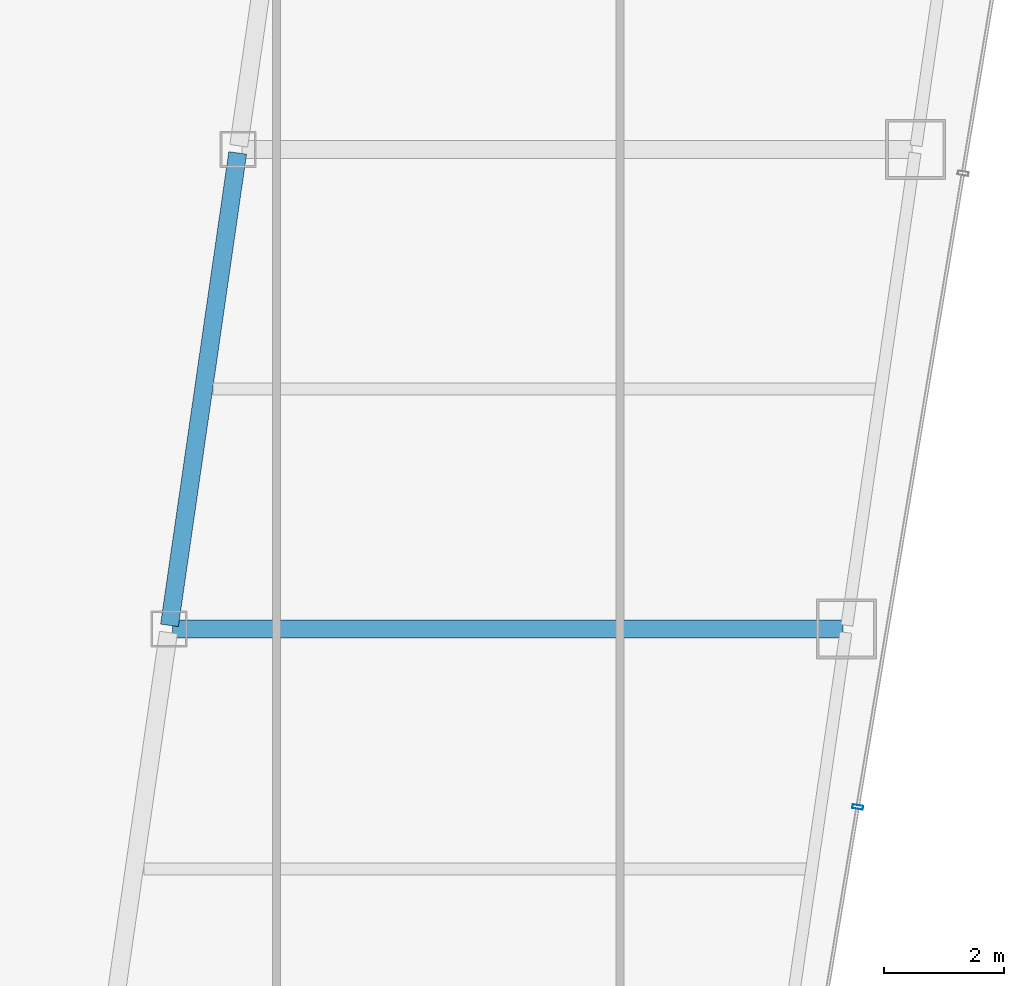
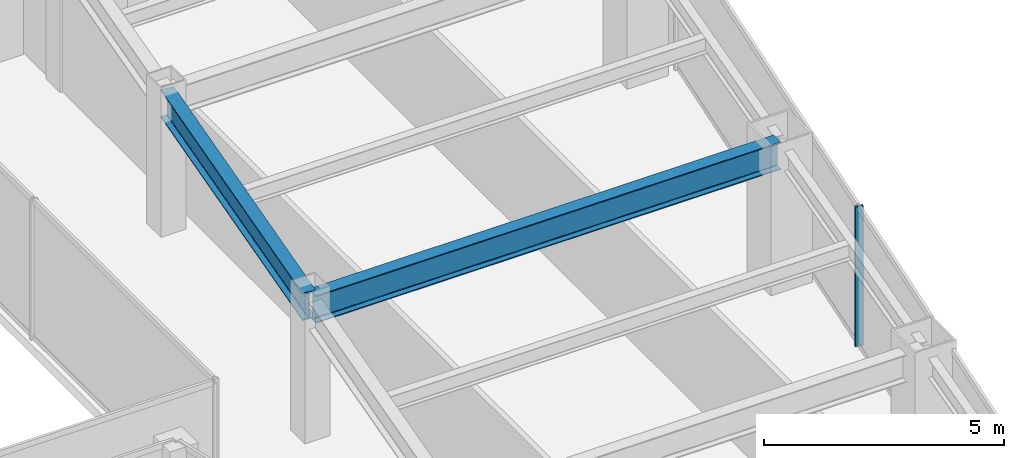
# One storey, part 17 of 38: 2 beams, 1 member, 1 element without a shape of its own.
"""IFC4 building model written with IfcOpenShell, lengths in metres."""

from ifc_helpers import new_model, si_unit, direction, frame, origin, origin_2d, place, context, subcontext, project, spatial, hollow_rectangle, i_section, extrude, material, material_profile, profile_set, type_object, element, aggregate, save


model = new_model("IFC4")

# Units and contexts
model_context = context("Model", 3, precision=1e-05, world=origin(), true_north=direction((0.0, 1.0)))
body_context = subcontext(model_context, "Body", "Model", "MODEL_VIEW")
ifc_project = project(units=[si_unit("LENGTHUNIT", "METRE"), si_unit("AREAUNIT", "SQUARE_METRE"), si_unit("VOLUMEUNIT", "CUBIC_METRE"), si_unit("PLANEANGLEUNIT", "RADIAN"), si_unit("MASSUNIT", "GRAM", prefix="KILO")], contexts=[model_context])

# Site, building, storey
site_placement = place(None, origin())
site = spatial("IfcSite", under=ifc_project, at=site_placement, CompositionType="ELEMENT")
building_placement = place(site_placement, origin())
building = spatial("IfcBuilding", under=site, at=building_placement, Name="Saevonmaru Cultural Tower", CompositionType="ELEMENT")
storey_placement = place(building_placement, frame((0.0, 0.0, 133.39990234375)))
storey = spatial("IfcBuildingStorey", under=building, at=storey_placement, Name="L28", CompositionType="ELEMENT", Elevation=133.39990234375)

# Beams
ifc_material_1 = material(Name="Steel SM355", Category="steel")
ifc_material_profile_1 = material_profile(ifc_material_1, i_section(OverallWidth=0.300048828125, OverallDepth=0.699951171875, WebThickness=0.012939453125, FlangeThickness=0.02392578125, FilletRadius=0.02587890625, at=origin_2d()), Name="H-700x300x13x24")
ifc_profile_set_1 = profile_set([ifc_material_profile_1], Name="Steel SM355")
beam_type = type_object("IfcBeamType", Name="BM-G-H700", PredefinedType="BEAM", material=ifc_profile_set_1)
beam_1_placement = place(storey_placement, frame((39.236572265625, 24.059326171875, 3.2001953125), z_axis=(0.142902032203, 0.989736838353, 0.0), x_axis=(-0.989736838353, 0.142902032203, 0.0)))
element("IfcBeam", 1, at=beam_1_placement, inside=storey, type_object=beam_type, Name="L28 East Atrium Girder 3", PredefinedType="BEAM", context=body_context, shape_type="SweptSolid", body=[
    extrude(i_section(OverallWidth=0.300048828125, OverallDepth=0.699951171875, WebThickness=0.012939453125, FlangeThickness=0.02392578125, FilletRadius=0.02587890625, at=origin_2d()), origin(), (0.0, 0.0, 1.0), 7.963134765625),
])
beam_2_placement = place(storey_placement, frame((39.2880859375, 24.0, 3.2001953125), z_axis=(1.0, 0.0, 0.0), x_axis=(0.0, 1.0, 0.0)))
element("IfcBeam", 2, at=beam_2_placement, inside=storey, type_object=beam_type, Name="L28 East Wing Transverse Girder 3", PredefinedType="BEAM", context=body_context, shape_type="SweptSolid", body=[
    extrude(i_section(OverallWidth=0.300048828125, OverallDepth=0.699951171875, WebThickness=0.012939453125, FlangeThickness=0.02392578125, FilletRadius=0.02587890625, at=origin_2d()), origin(), (0.0, 0.0, 1.0), 11.179931640625),
])

# Curtain wall, member
ifc_material_2 = material(Name="Satin Bronze Anodised Aluminium", Category="aluminium")
curtain_wall_type = type_object("IfcCurtainWallType", Name="CW-TYP-A", PredefinedType="NOTDEFINED", material=ifc_material_2)
curtain_wall_placement = place(storey_placement, origin())
curtain_wall = element("IfcCurtainWall", 3, at=curtain_wall_placement, inside=storey, type_object=curtain_wall_type, Name="L28 Unitised Curtain Wall E8", PredefinedType="NOTDEFINED")
ifc_material_profile_2 = material_profile(ifc_material_2, hollow_rectangle(XDim=0.06494140625, YDim=0.179931640625, WallThickness=0.00390625, at=origin_2d()), Name="ALU-MULL-180x65x4")
ifc_profile_set_2 = profile_set([ifc_material_profile_2], Name="Satin Bronze Anodised Aluminium")
member_type = type_object("IfcMemberType", Name="ML-CW-180x65", PredefinedType="MULLION", material=ifc_profile_set_2)
member_placement = place(storey_placement, frame((50.71826171875, 21.029541015625, 0.0), z_axis=(0.0, 0.0, 1.0), x_axis=(0.163998702345, 0.986460554523, 0.0)))
member = element("IfcMember", 4, at=member_placement, type_object=member_type, Name="CW-TW-L28-E8 mullion 2", PredefinedType="MULLION", context=body_context, shape_type="SweptSolid", body=[
    extrude(hollow_rectangle(XDim=0.06494140625, YDim=0.179931640625, WallThickness=0.00390625, at=origin_2d()), origin(), (0.0, 0.0, 1.0), 3.550048828125),
])
aggregate(curtain_wall, [member])

save(model, "model.ifc")
